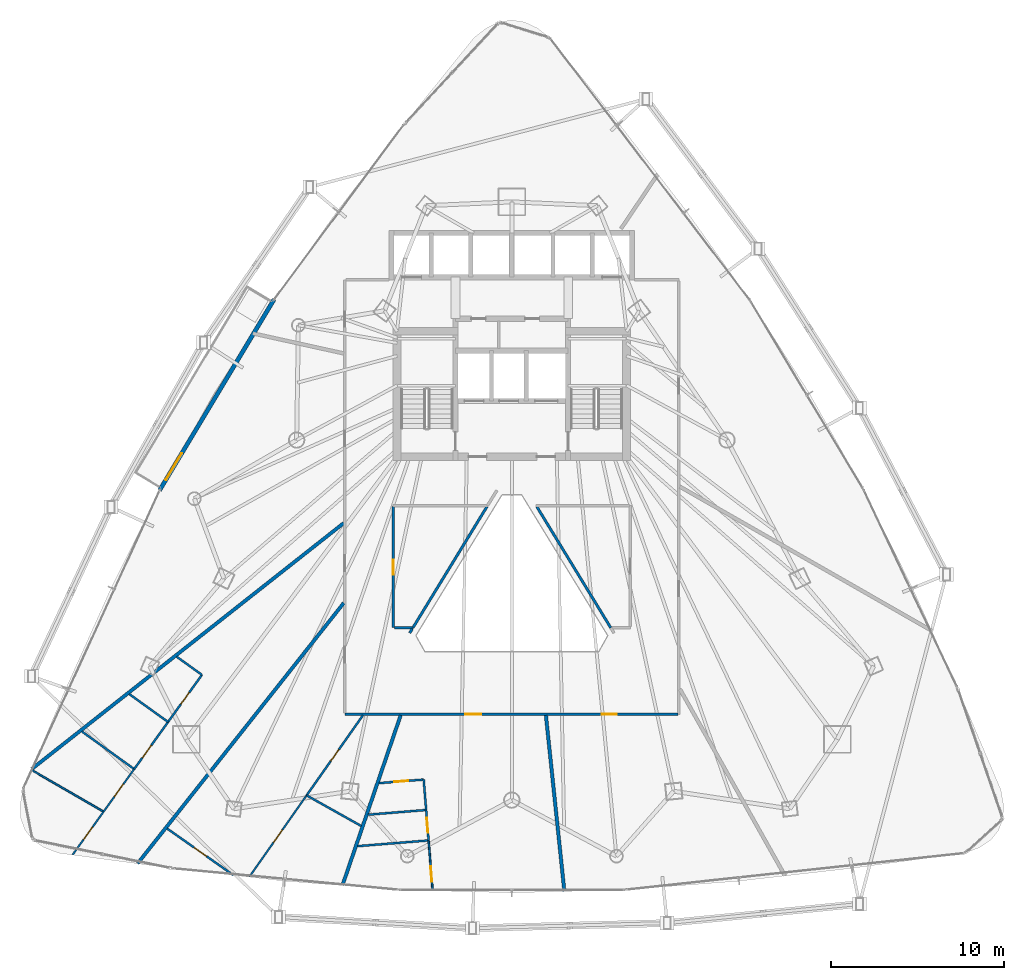
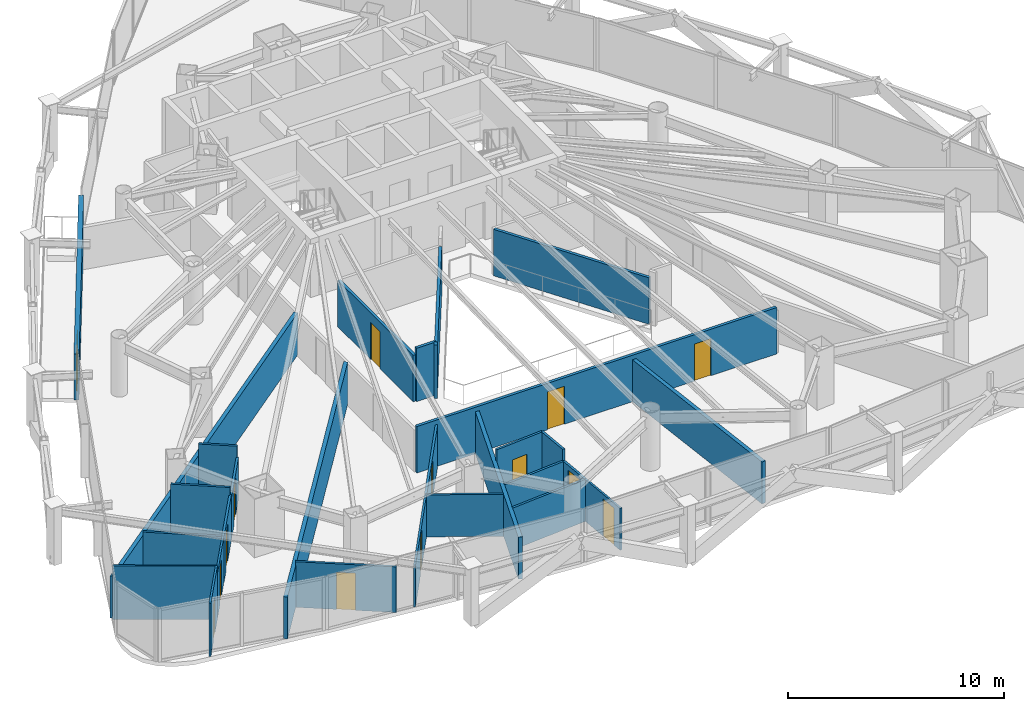
# One storey, part 32 of 38: 29 walls, 14 doors, 14 openings.
"""IFC4 building model written with IfcOpenShell, lengths in metres."""

from ifc_helpers import new_model, si_unit, direction, frame, frame_2d, origin, place, context, subcontext, project, spatial, rectangle, extrude, material, layer, layer_set, type_object, element, fill, save


model = new_model("IFC4")

# Units and contexts
model_context = context("Model", 3, precision=1e-05, world=origin(), true_north=direction((0.0, 1.0)))
body_context = subcontext(model_context, "Body", "Model", "MODEL_VIEW")
ifc_project = project(units=[si_unit("LENGTHUNIT", "METRE"), si_unit("AREAUNIT", "SQUARE_METRE"), si_unit("VOLUMEUNIT", "CUBIC_METRE"), si_unit("PLANEANGLEUNIT", "RADIAN"), si_unit("MASSUNIT", "GRAM", prefix="KILO")], contexts=[model_context])

# Site, building, storey
site_placement = place(None, origin())
site = spatial("IfcSite", under=ifc_project, at=site_placement, CompositionType="ELEMENT")
building_placement = place(site_placement, origin())
building = spatial("IfcBuilding", under=site, at=building_placement, Name="Orvanel Arch Residences", CompositionType="ELEMENT")
storey_placement = place(building_placement, frame((0.0, 0.0, 56.60009765625)))
storey = spatial("IfcBuildingStorey", under=building, at=storey_placement, Name="L15", CompositionType="ELEMENT", Elevation=56.60009765625)

# Wall, opening, door
ifc_material_1 = material(Name="Precast concrete N50 (50 MPa)", Category="concrete")
ifc_layer_1 = layer(ifc_material_1, 0.239990234375)
ifc_layer_set_1 = layer_set([ifc_layer_1], Name="Precast concrete N50 (50 MPa)")
wall_type_1 = type_object("IfcWallType", Name="EW-BAL-240", PredefinedType="SOLIDWALL", material=ifc_layer_set_1)
wall_1_placement = place(storey_placement, frame((19.264892578125, 35.764892578125, 0.0), z_axis=(0.0, 0.0, 1.0), x_axis=(-0.51430869017, -0.857605137121, 0.0)))
wall_1 = element("IfcWall", 1, at=wall_1_placement, inside=storey, type_object=wall_type_1, Name="L15 Balcony Threshold Wall Face 1", PredefinedType="SOLIDWALL", context=body_context, shape_type="SweptSolid", body=[
    extrude(rectangle(XDim=12.860107421875, YDim=0.239990234375, at=frame_2d((6.43017578125, 0.0))), origin(), (0.0, 0.0, 1.0), 2.583984375),
])
opening_1_placement = place(wall_1_placement, frame((10.362060546875, 0.0, 0.0)))
opening_1 = element("IfcOpeningElement", 2, at=opening_1_placement, cuts=wall_1, Name="Opening DB-180", PredefinedType="OPENING", context=body_context, shape_type="SweptSolid", body=[
    extrude(rectangle(XDim=1.800048828125, YDim=2.199951171875, at=frame_2d((0.89990234375, 1.10009765625))), frame((0.0, 0.1298828125, 0.0), z_axis=(0.0, -1.0, 0.0), x_axis=(1.0, 0.0, 0.0)), (0.0, 0.0, 1.0), 0.260009765625),
])
ifc_material_2 = material(Name="Bronze-anodised aluminium AA6063-T6", Category="aluminium")
door_type_1 = type_object("IfcDoorType", Name="DR-BAL-1800", OperationType="NOTDEFINED", PredefinedType="DOOR", material=ifc_material_2)
door_1_placement = place(opening_1_placement, origin())
door_1 = element("IfcDoor", 3, at=door_1_placement, inside=storey, type_object=door_type_1, Name="DR-L15-BAL-F1 L15 Planted Balcony Access Door Face 1", OperationType="SINGLE_SWING_LEFT", OverallHeight=2.199951171875, OverallWidth=1.800048828125, PredefinedType="DOOR", context=body_context, shape_type="SweptSolid", body=[
    extrude(rectangle(XDim=1.800048828125, YDim=2.199951171875, at=frame_2d((0.89990234375, 1.10009765625))), frame((0.0, 0.02490234375, 0.0), z_axis=(0.0, -1.0, 0.0), x_axis=(1.0, 0.0, 0.0)), (0.0, 0.0, 1.0), 0.050048828125),
])
fill(opening_1, door_1)

# Wall, openings, doors
ifc_material_3 = material(Name="Fire-rated plasterboard lined steel stud partition", Category="steel")
ifc_layer_2 = layer(ifc_material_3, 0.14990234375)
ifc_layer_set_2 = layer_set([ifc_layer_2], Name="Fire-rated plasterboard lined steel stud partition")
wall_type_2 = type_object("IfcWallType", Name="W-COR-150", PredefinedType="PARTITIONING", material=ifc_layer_set_2)
wall_2_placement = place(storey_placement, frame((42.590087890625, 11.800048828125, 0.0), z_axis=(0.0, 0.0, 1.0), x_axis=(-1.0, 0.0, 0.0)))
wall_2 = element("IfcWall", 4, at=wall_2_placement, inside=storey, type_object=wall_type_2, Name="L15 Corridor Fire-Rated Partition", PredefinedType="PARTITIONING", context=body_context, shape_type="SweptSolid", body=[
    extrude(rectangle(XDim=19.239990234375, YDim=0.14990234375, at=frame_2d((9.6201171875, 0.0))), origin(), (0.0, 0.0, 1.0), 2.62890625),
])
opening_2_placement = place(wall_2_placement, frame((11.35498046875, 0.0, 0.0)))
opening_2 = element("IfcOpeningElement", 5, at=opening_2_placement, cuts=wall_2, Name="Opening DA-092", PredefinedType="OPENING", context=body_context, shape_type="SweptSolid", body=[
    extrude(rectangle(XDim=0.919921875, YDim=2.14990234375, at=frame_2d((0.4599609375, 1.074951171875))), frame((0.0, 0.0849609375, 0.0), z_axis=(0.0, -1.0, 0.0), x_axis=(1.0, 0.0, 0.0)), (0.0, 0.0, 1.0), 0.169921875),
])
opening_3_placement = place(wall_2_placement, frame((3.52392578125, 0.0, 0.0)))
opening_3 = element("IfcOpeningElement", 6, at=opening_3_placement, cuts=wall_2, Name="Opening DI-088", PredefinedType="OPENING", context=body_context, shape_type="SweptSolid", body=[
    extrude(rectangle(XDim=0.8798828125, YDim=2.10009765625, at=frame_2d((0.43994140625, 1.050048828125))), frame((0.0, 0.0849609375, 0.0), z_axis=(0.0, -1.0, 0.0), x_axis=(1.0, 0.0, 0.0)), (0.0, 0.0, 1.0), 0.169921875),
])
ifc_material_4 = material(Name="Solid-core European oak veneer fire door leaf", Category="wood")
door_type_2 = type_object("IfcDoorType", Name="DR-APT-920", OperationType="NOTDEFINED", PredefinedType="DOOR", material=ifc_material_4)
door_2_placement = place(opening_2_placement, origin())
door_2 = element("IfcDoor", 7, at=door_2_placement, inside=storey, type_object=door_type_2, Name="DR-L15-G-ENT L15 Flat G Entrance Door", OperationType="SINGLE_SWING_RIGHT", OverallHeight=2.14990234375, OverallWidth=0.919921875, PredefinedType="DOOR", context=body_context, shape_type="SweptSolid", body=[
    extrude(rectangle(XDim=0.919921875, YDim=2.14990234375, at=frame_2d((0.4599609375, 1.074951171875))), frame((0.0, 0.02490234375, 0.0), z_axis=(0.0, -1.0, 0.0), x_axis=(1.0, 0.0, 0.0)), (0.0, 0.0, 1.0), 0.050048828125),
])
fill(opening_2, door_2)
door_type_3 = type_object("IfcDoorType", Name="DR-INT-880", OperationType="NOTDEFINED", PredefinedType="DOOR", material=ifc_material_4)
door_3_placement = place(opening_3_placement, origin())
door_3 = element("IfcDoor", 8, at=door_3_placement, inside=storey, type_object=door_type_3, Name="DR-L15-SHRD-FB8 L15 Co-Working Study Office H Door", OperationType="SINGLE_SWING_LEFT", OverallHeight=2.10009765625, OverallWidth=0.8798828125, PredefinedType="DOOR", context=body_context, shape_type="SweptSolid", body=[
    extrude(rectangle(XDim=0.8798828125, YDim=2.10009765625, at=frame_2d((0.43994140625, 1.050048828125))), frame((0.0, 0.02490234375, 0.0), z_axis=(0.0, -1.0, 0.0), x_axis=(1.0, 0.0, 0.0)), (0.0, 0.0, 1.0), 0.050048828125),
])
fill(opening_3, door_3)

# Wall, opening, door
wall_3_placement = place(storey_placement, frame((26.14990234375, 23.7900390625, 0.0), z_axis=(0.0, 0.0, 1.0), x_axis=(0.0, -1.0, 0.0)))
wall_3 = element("IfcWall", 9, at=wall_3_placement, inside=storey, type_object=wall_type_2, Name="L15 Corridor Fire-Rated Partition", PredefinedType="PARTITIONING", context=body_context, shape_type="SweptSolid", body=[
    extrude(rectangle(XDim=6.989990234375, YDim=0.14990234375, at=frame_2d((3.4951171875, 0.0))), origin(), (0.0, 0.0, 1.0), 2.62890625),
])
opening_4_placement = place(wall_3_placement, frame((3.054931640625, 0.0, 0.0)))
opening_4 = element("IfcOpeningElement", 10, at=opening_4_placement, cuts=wall_3, Name="Opening DI-088", PredefinedType="OPENING", context=body_context, shape_type="SweptSolid", body=[
    extrude(rectangle(XDim=0.8798828125, YDim=2.10009765625, at=frame_2d((0.43994140625, 1.050048828125))), frame((0.0, 0.0849609375, 0.0), z_axis=(0.0, -1.0, 0.0), x_axis=(1.0, 0.0, 0.0)), (0.0, 0.0, 1.0), 0.169921875),
])
door_4_placement = place(opening_4_placement, origin())
door_4 = element("IfcDoor", 11, at=door_4_placement, inside=storey, type_object=door_type_3, Name="DR-L15-SHRD-FB9 L15 Co-Working Study Office I Door", OperationType="SINGLE_SWING_LEFT", OverallHeight=2.10009765625, OverallWidth=0.8798828125, PredefinedType="DOOR", context=body_context, shape_type="SweptSolid", body=[
    extrude(rectangle(XDim=0.8798828125, YDim=2.10009765625, at=frame_2d((0.43994140625, 1.050048828125))), frame((0.0, 0.02490234375, 0.0), z_axis=(0.0, -1.0, 0.0), x_axis=(1.0, 0.0, 0.0)), (0.0, 0.0, 1.0), 0.050048828125),
])
fill(opening_4, door_4)

# Walls
wall_4_placement = place(storey_placement, frame((26.2099609375, 16.800048828125, 0.0), z_axis=(0.0, 0.0, 1.0), x_axis=(1.0, 0.0, 0.0)))
element("IfcWall", 12, at=wall_4_placement, inside=storey, type_object=wall_type_2, Name="L15 Corridor Fire-Rated Partition", PredefinedType="PARTITIONING", context=body_context, shape_type="SweptSolid", body=[
    extrude(rectangle(XDim=1.071044921875, YDim=0.14990234375, at=frame_2d((0.53564453125, 0.0))), origin(), (0.0, 0.0, 1.0), 3.02001953125),
])
wall_5_placement = place(storey_placement, frame((27.24609375, 16.739990234375, 0.0), z_axis=(0.0, 0.0, 1.0), x_axis=(-0.508992658084, -0.860770860344, 0.0)))
element("IfcWall", 13, at=wall_5_placement, inside=storey, type_object=wall_type_2, Name="L15 Corridor Fire-Rated Partition", PredefinedType="PARTITIONING", context=body_context, shape_type="SweptSolid", body=[
    extrude(rectangle(XDim=0.281005859375, YDim=0.14990234375, at=frame_2d((0.140625, 0.0))), origin(), (0.0, 0.0, 1.0), 3.02001953125),
])
wall_6_placement = place(storey_placement, frame((27.281005859375, 16.7900390625, 0.0), z_axis=(0.0, 0.0, 1.0), x_axis=(0.521563150989, 0.8532126813, 0.0)))
element("IfcWall", 14, at=wall_6_placement, inside=storey, type_object=wall_type_2, Name="L15 Atrium Overlook Glazed Partition", PredefinedType="PARTITIONING", context=body_context, shape_type="SweptSolid", body=[
    extrude(rectangle(XDim=8.204345703125, YDim=0.14990234375, at=frame_2d((4.10205078125, 0.0))), origin(), (0.0, 0.0, 1.0), 2.62890625),
])
wall_7_placement = place(storey_placement, frame((34.445068359375, 23.7900390625, 0.0), z_axis=(0.0, 0.0, 1.0), x_axis=(0.521145044988, -0.853468125992, 0.0)))
element("IfcWall", 15, at=wall_7_placement, inside=storey, type_object=wall_type_2, Name="L15 Atrium Overlook Glazed Partition", PredefinedType="PARTITIONING", context=body_context, shape_type="SweptSolid", body=[
    extrude(rectangle(XDim=8.193603515625, YDim=0.14990234375, at=frame_2d((4.0966796875, 0.0))), origin(), (0.0, 0.0, 1.0), 2.62890625),
])
ifc_layer_3 = layer(ifc_material_3, 0.199951171875)
ifc_layer_set_3 = layer_set([ifc_layer_3], Name="Fire-rated plasterboard lined steel stud partition")
wall_type_3 = type_object("IfcWallType", Name="W-DEM-200", PredefinedType="PARTITIONING", material=ifc_layer_set_3)
wall_8_placement = place(storey_placement, frame((23.2900390625, 22.843994140625, 0.0), z_axis=(0.0, 0.0, 1.0), x_axis=(-0.785302077685, -0.619112790034, 0.0)))
element("IfcWall", 16, at=wall_8_placement, inside=storey, type_object=wall_type_3, Name="L15 Inter-Tenancy Acoustic Demising Wall", PredefinedType="PARTITIONING", context=body_context, shape_type="SweptSolid", body=[
    extrude(rectangle(XDim=22.956787109375, YDim=0.199951171875, at=frame_2d((11.478515625, 0.0))), origin(), (0.0, 0.0, 1.0), 2.372802734375),
])
wall_9_placement = place(storey_placement, frame((23.2900390625, 18.22802734375, 0.0), z_axis=(0.0, 0.0, 1.0), x_axis=(-0.620501189922, -0.784205504511, 0.0)))
element("IfcWall", 17, at=wall_9_placement, inside=storey, type_object=wall_type_3, Name="L15 Inter-Tenancy Acoustic Demising Wall", PredefinedType="PARTITIONING", context=body_context, shape_type="SweptSolid", body=[
    extrude(rectangle(XDim=19.187744140625, YDim=0.199951171875, at=frame_2d((9.59375, 0.0))), origin(), (0.0, 0.0, 1.0), 2.372802734375),
])
wall_10_placement = place(storey_placement, frame((26.5791015625, 11.739990234375, 0.0), z_axis=(0.0, 0.0, 1.0), x_axis=(-0.32385337678, -0.946107282684, 0.0)))
element("IfcWall", 18, at=wall_10_placement, inside=storey, type_object=wall_type_3, Name="L15 Inter-Tenancy Acoustic Demising Wall", PredefinedType="PARTITIONING", context=body_context, shape_type="SweptSolid", body=[
    extrude(rectangle(XDim=10.37841796875, YDim=0.199951171875, at=frame_2d((5.189208984375, 0.0))), origin(), (0.0, 0.0, 1.0), 2.372802734375),
])
wall_11_placement = place(storey_placement, frame((34.968994140625, 11.739990234375, 0.0), z_axis=(0.0, 0.0, 1.0), x_axis=(0.10435134466, -0.994540495338, 0.0)))
element("IfcWall", 19, at=wall_11_placement, inside=storey, type_object=wall_type_3, Name="L15 Inter-Tenancy Acoustic Demising Wall", PredefinedType="PARTITIONING", context=body_context, shape_type="SweptSolid", body=[
    extrude(rectangle(XDim=10.214599609375, YDim=0.199951171875, at=frame_2d((5.107421875, 0.0))), origin(), (0.0, 0.0, 1.0), 2.372802734375),
])

# Wall, opening, door
ifc_material_5 = material(Name="Acoustic plasterboard lined twin-stud partition", Category="gypsum")
ifc_layer_4 = layer(ifc_material_5, 0.10009765625)
ifc_layer_set_4 = layer_set([ifc_layer_4], Name="Acoustic plasterboard lined twin-stud partition")
wall_type_4 = type_object("IfcWallType", Name="W-INT-100", PredefinedType="PARTITIONING", material=ifc_layer_set_4)
wall_12_placement = place(storey_placement, frame((7.62890625, 3.68505859375, 0.0), z_axis=(0.0, 0.0, 1.0), x_axis=(0.583746077317, 0.811936276574, 0.0)))
wall_12 = element("IfcWall", 20, at=wall_12_placement, inside=storey, type_object=wall_type_4, Name="L15 Flat E Internal Partition", PredefinedType="PARTITIONING", context=body_context, shape_type="SweptSolid", body=[
    extrude(rectangle(XDim=3.063232421875, YDim=0.10009765625, at=frame_2d((1.53173828125, 0.0))), origin(), (0.0, 0.0, 1.0), 3.02001953125),
])
opening_5_placement = place(wall_12_placement, frame((1.092041015625, 0.0, 0.0)))
opening_5 = element("IfcOpeningElement", 21, at=opening_5_placement, cuts=wall_12, Name="Opening DI-088", PredefinedType="OPENING", context=body_context, shape_type="SweptSolid", body=[
    extrude(rectangle(XDim=0.8798828125, YDim=2.10009765625, at=frame_2d((0.43994140625, 1.050048828125))), frame((0.0, 0.06005859375, 0.0), z_axis=(0.0, -1.0, 0.0), x_axis=(1.0, 0.0, 0.0)), (0.0, 0.0, 1.0), 0.1201171875),
])
door_5_placement = place(opening_5_placement, origin())
door_5 = element("IfcDoor", 22, at=door_5_placement, inside=storey, type_object=door_type_3, Name="DR-L15-E-BED1 L15 Flat E Bedroom 1 Door", OperationType="SINGLE_SWING_LEFT", OverallHeight=2.10009765625, OverallWidth=0.8798828125, PredefinedType="DOOR", context=body_context, shape_type="SweptSolid", body=[
    extrude(rectangle(XDim=0.8798828125, YDim=2.10009765625, at=frame_2d((0.43994140625, 1.050048828125))), frame((0.0, 0.02490234375, 0.0), z_axis=(0.0, -1.0, 0.0), x_axis=(1.0, 0.0, 0.0)), (0.0, 0.0, 1.0), 0.050048828125),
])
fill(opening_5, door_5)

wall_13_placement = place(storey_placement, frame((9.4169921875, 6.172119140625, 0.0), z_axis=(0.0, 0.0, 1.0), x_axis=(0.583596240012, 0.812043981964, 0.0)))
wall_13 = element("IfcWall", 23, at=wall_13_placement, inside=storey, type_object=wall_type_4, Name="L15 Flat E Internal Partition", PredefinedType="PARTITIONING", context=body_context, shape_type="SweptSolid", body=[
    extrude(rectangle(XDim=3.032958984375, YDim=0.10009765625, at=frame_2d((1.5166015625, 0.0))), origin(), (0.0, 0.0, 1.0), 2.578857421875),
])
opening_6_placement = place(wall_13_placement, frame((1.076904296875, 0.0, 0.0)))
opening_6 = element("IfcOpeningElement", 24, at=opening_6_placement, cuts=wall_13, Name="Opening DI-088", PredefinedType="OPENING", context=body_context, shape_type="SweptSolid", body=[
    extrude(rectangle(XDim=0.8798828125, YDim=2.10009765625, at=frame_2d((0.43994140625, 1.050048828125))), frame((0.0, 0.06005859375, 0.0), z_axis=(0.0, -1.0, 0.0), x_axis=(1.0, 0.0, 0.0)), (0.0, 0.0, 1.0), 0.1201171875),
])
door_6_placement = place(opening_6_placement, origin())
door_6 = element("IfcDoor", 25, at=door_6_placement, inside=storey, type_object=door_type_3, Name="DR-L15-E-STU2 L15 Flat E Private Study Room 1 Door", OperationType="SINGLE_SWING_LEFT", OverallHeight=2.10009765625, OverallWidth=0.8798828125, PredefinedType="DOOR", context=body_context, shape_type="SweptSolid", body=[
    extrude(rectangle(XDim=0.8798828125, YDim=2.10009765625, at=frame_2d((0.43994140625, 1.050048828125))), frame((0.0, 0.02490234375, 0.0), z_axis=(0.0, -1.0, 0.0), x_axis=(1.0, 0.0, 0.0)), (0.0, 0.0, 1.0), 0.050048828125),
])
fill(opening_6, door_6)

# Wall
wall_14_placement = place(storey_placement, frame((5.2529296875, 8.590087890625, 0.0), z_axis=(0.0, 0.0, 1.0), x_axis=(0.864777582771, -0.502155087932, 0.0)))
element("IfcWall", 26, at=wall_14_placement, inside=storey, type_object=wall_type_4, Name="L15 Flat E Internal Partition", PredefinedType="PARTITIONING", context=body_context, shape_type="SweptSolid", body=[
    extrude(rectangle(XDim=4.815185546875, YDim=0.10009765625, at=frame_2d((2.40771484375, 0.0))), origin(), (0.0, 0.0, 1.0), 3.02001953125),
])

# Wall, opening, door
wall_15_placement = place(storey_placement, frame((21.14599609375, 7.115966796875, 0.0), z_axis=(0.0, 0.0, 1.0), x_axis=(-0.575180299529, -0.818026664011, 0.0)))
wall_15 = element("IfcWall", 27, at=wall_15_placement, inside=storey, type_object=wall_type_4, Name="L15 Flat F Internal Partition", PredefinedType="PARTITIONING", context=body_context, shape_type="SweptSolid", body=[
    extrude(rectangle(XDim=5.756591796875, YDim=0.10009765625, at=frame_2d((2.87841796875, 0.0))), origin(), (0.0, 0.0, 1.0), 2.372802734375),
])
opening_7_placement = place(wall_15_placement, frame((2.43798828125, 0.0, 0.0)))
opening_7 = element("IfcOpeningElement", 28, at=opening_7_placement, cuts=wall_15, Name="Opening DI-088", PredefinedType="OPENING", context=body_context, shape_type="SweptSolid", body=[
    extrude(rectangle(XDim=0.8798828125, YDim=2.10009765625, at=frame_2d((0.43994140625, 1.050048828125))), frame((0.0, 0.06005859375, 0.0), z_axis=(0.0, -1.0, 0.0), x_axis=(1.0, 0.0, 0.0)), (0.0, 0.0, 1.0), 0.1201171875),
])
door_7_placement = place(opening_7_placement, origin())
door_7 = element("IfcDoor", 29, at=door_7_placement, inside=storey, type_object=door_type_3, Name="DR-L15-F-BED1 L15 Flat F Bedroom 1 Door", OperationType="SINGLE_SWING_LEFT", OverallHeight=2.10009765625, OverallWidth=0.8798828125, PredefinedType="DOOR", context=body_context, shape_type="SweptSolid", body=[
    extrude(rectangle(XDim=0.8798828125, YDim=2.10009765625, at=frame_2d((0.43994140625, 1.050048828125))), frame((0.0, 0.02490234375, 0.0), z_axis=(0.0, -1.0, 0.0), x_axis=(1.0, 0.0, 0.0)), (0.0, 0.0, 1.0), 0.050048828125),
])
fill(opening_7, door_7)

wall_16_placement = place(storey_placement, frame((28.425048828125, 1.6220703125, 0.0), z_axis=(0.0, 0.0, 1.0), x_axis=(-0.080390934681, 0.996763411057, 0.0)))
wall_16 = element("IfcWall", 30, at=wall_16_placement, inside=storey, type_object=wall_type_4, Name="L15 Flat G Internal Partition", PredefinedType="PARTITIONING", context=body_context, shape_type="SweptSolid", body=[
    extrude(rectangle(XDim=2.900146484375, YDim=0.10009765625, at=frame_2d((1.4501953125, 0.0))), origin(), (0.0, 0.0, 1.0), 2.372802734375),
])
opening_8_placement = place(wall_16_placement, frame((0.51708984375, 0.0, 0.0)))
opening_8 = element("IfcOpeningElement", 31, at=opening_8_placement, cuts=wall_16, Name="Opening DI-088", PredefinedType="OPENING", context=body_context, shape_type="SweptSolid", body=[
    extrude(rectangle(XDim=0.8798828125, YDim=2.10009765625, at=frame_2d((0.43994140625, 1.050048828125))), frame((0.0, 0.06005859375, 0.0), z_axis=(0.0, -1.0, 0.0), x_axis=(1.0, 0.0, 0.0)), (0.0, 0.0, 1.0), 0.1201171875),
])
door_8_placement = place(opening_8_placement, origin())
door_8 = element("IfcDoor", 32, at=door_8_placement, inside=storey, type_object=door_type_3, Name="DR-L15-G-BED1 L15 Flat G Bedroom 1 Door", OperationType="SINGLE_SWING_LEFT", OverallHeight=2.10009765625, OverallWidth=0.8798828125, PredefinedType="DOOR", context=body_context, shape_type="SweptSolid", body=[
    extrude(rectangle(XDim=0.8798828125, YDim=2.10009765625, at=frame_2d((0.43994140625, 1.050048828125))), frame((0.0, 0.02490234375, 0.0), z_axis=(0.0, -1.0, 0.0), x_axis=(1.0, 0.0, 0.0)), (0.0, 0.0, 1.0), 0.050048828125),
])
fill(opening_8, door_8)

ifc_layer_5 = layer(ifc_material_5, 0.1201171875)
ifc_layer_set_5 = layer_set([ifc_layer_5], Name="Acoustic plasterboard lined twin-stud partition")
wall_type_5 = type_object("IfcWallType", Name="W-WET-120", PredefinedType="PARTITIONING", material=ifc_layer_set_5)
wall_17_placement = place(storey_placement, frame((13.14306640625, 11.35693359375, 0.0), z_axis=(0.0, 0.0, 1.0), x_axis=(0.583709603858, 0.811962498127, 0.0)))
wall_17 = element("IfcWall", 33, at=wall_17_placement, inside=storey, type_object=wall_type_5, Name="L15 Flat E Bathroom Partition", PredefinedType="PARTITIONING", context=body_context, shape_type="SweptSolid", body=[
    extrude(rectangle(XDim=3.35107421875, YDim=0.1201171875, at=frame_2d((1.675537109375, 0.0))), origin(), (0.0, 0.0, 1.0), 2.372802734375),
])
opening_9_placement = place(wall_17_placement, frame((1.26611328125, 0.0, 0.0)))
opening_9 = element("IfcOpeningElement", 34, at=opening_9_placement, cuts=wall_17, Name="Opening DW-082", PredefinedType="OPENING", context=body_context, shape_type="SweptSolid", body=[
    extrude(rectangle(XDim=0.820068359375, YDim=2.10009765625, at=frame_2d((0.41015625, 1.050048828125))), frame((0.0, 0.070068359375, 0.0), z_axis=(0.0, -1.0, 0.0), x_axis=(1.0, 0.0, 0.0)), (0.0, 0.0, 1.0), 0.14013671875),
])
door_type_4 = type_object("IfcDoorType", Name="DR-WET-820", OperationType="NOTDEFINED", PredefinedType="DOOR", material=ifc_material_4)
door_9_placement = place(opening_9_placement, origin())
door_9 = element("IfcDoor", 35, at=door_9_placement, inside=storey, type_object=door_type_4, Name="DR-L15-E-BATH L15 Flat E Bathroom Door", OperationType="SINGLE_SWING_RIGHT", OverallHeight=2.10009765625, OverallWidth=0.820068359375, PredefinedType="DOOR", context=body_context, shape_type="SweptSolid", body=[
    extrude(rectangle(XDim=0.820068359375, YDim=2.10009765625, at=frame_2d((0.41015625, 1.050048828125))), frame((0.0, 0.02490234375, 0.0), z_axis=(0.0, -1.0, 0.0), x_axis=(1.0, 0.0, 0.0)), (0.0, 0.0, 1.0), 0.050048828125),
])
fill(opening_9, door_9)

# Wall
wall_18_placement = place(storey_placement, frame((15.09912109375, 14.077880859375, 0.0), z_axis=(0.0, 0.0, 1.0), x_axis=(-0.812134003072, 0.583470959906, 0.0)))
element("IfcWall", 36, at=wall_18_placement, inside=storey, type_object=wall_type_5, Name="L15 Flat E Bathroom Partition", PredefinedType="PARTITIONING", context=body_context, shape_type="SweptSolid", body=[
    extrude(rectangle(XDim=1.798095703125, YDim=0.1201171875, at=frame_2d((0.89892578125, 0.0))), origin(), (0.0, 0.0, 1.0), 3.02001953125),
])

# Wall, opening, door
wall_19_placement = place(storey_placement, frame((11.18701171875, 8.635009765625, 0.0), z_axis=(0.0, 0.0, 1.0), x_axis=(0.583571510595, 0.812061753823, 0.0)))
wall_19 = element("IfcWall", 37, at=wall_19_placement, inside=storey, type_object=wall_type_5, Name="L15 Flat E Internal Partition", PredefinedType="PARTITIONING", context=body_context, shape_type="SweptSolid", body=[
    extrude(rectangle(XDim=3.351806640625, YDim=0.1201171875, at=frame_2d((1.67578125, 0.0))), origin(), (0.0, 0.0, 1.0), 2.578857421875),
])
opening_10_placement = place(wall_19_placement, frame((0.802001953125, 0.0, 0.0)))
opening_10 = element("IfcOpeningElement", 38, at=opening_10_placement, cuts=wall_19, Name="Opening DI-088", PredefinedType="OPENING", context=body_context, shape_type="SweptSolid", body=[
    extrude(rectangle(XDim=0.8798828125, YDim=2.10009765625, at=frame_2d((0.43994140625, 1.050048828125))), frame((0.0, 0.070068359375, 0.0), z_axis=(0.0, -1.0, 0.0), x_axis=(1.0, 0.0, 0.0)), (0.0, 0.0, 1.0), 0.14013671875),
])
door_10_placement = place(opening_10_placement, origin())
door_10 = element("IfcDoor", 39, at=door_10_placement, inside=storey, type_object=door_type_3, Name="DR-L15-E-KIT L15 Flat E Kitchen Door", OperationType="SINGLE_SWING_LEFT", OverallHeight=2.10009765625, OverallWidth=0.8798828125, PredefinedType="DOOR", context=body_context, shape_type="SweptSolid", body=[
    extrude(rectangle(XDim=0.8798828125, YDim=2.10009765625, at=frame_2d((0.43994140625, 1.050048828125))), frame((0.0, 0.02490234375, 0.0), z_axis=(0.0, -1.0, 0.0), x_axis=(1.0, 0.0, 0.0)), (0.0, 0.0, 1.0), 0.050048828125),
])
fill(opening_10, door_10)

# Walls
wall_20_placement = place(storey_placement, frame((13.14306640625, 11.35693359375, 0.0), z_axis=(0.0, 0.0, 1.0), x_axis=(-0.812099176387, 0.583519432162, 0.0)))
element("IfcWall", 40, at=wall_20_placement, inside=storey, type_object=wall_type_5, Name="L15 Flat E Bathroom Partition", PredefinedType="PARTITIONING", context=body_context, shape_type="SweptSolid", body=[
    extrude(rectangle(XDim=2.760986328125, YDim=0.1201171875, at=frame_2d((1.38037109375, 0.0))), origin(), (0.0, 0.0, 1.0), 3.02001953125),
])
wall_21_placement = place(storey_placement, frame((11.18701171875, 8.635009765625, 0.0), z_axis=(0.0, 0.0, 1.0), x_axis=(-0.812025077548, 0.583622543629, 0.0)))
element("IfcWall", 41, at=wall_21_placement, inside=storey, type_object=wall_type_5, Name="L15 Flat E Internal Partition", PredefinedType="PARTITIONING", context=body_context, shape_type="SweptSolid", body=[
    extrude(rectangle(XDim=3.72509765625, YDim=0.1201171875, at=frame_2d((1.862548828125, 0.0))), origin(), (0.0, 0.0, 1.0), 2.578857421875),
])

# Wall, opening, door
wall_22_placement = place(storey_placement, frame((24.39794921875, 11.739990234375, 0.0), z_axis=(0.0, 0.0, 1.0), x_axis=(-0.575258030062, -0.817972003707, 0.0)))
wall_22 = element("IfcWall", 42, at=wall_22_placement, inside=storey, type_object=wall_type_5, Name="L15 Flat F Bathroom Partition", PredefinedType="PARTITIONING", context=body_context, shape_type="SweptSolid", body=[
    extrude(rectangle(XDim=5.653076171875, YDim=0.1201171875, at=frame_2d((2.82666015625, 0.0))), origin(), (0.0, 0.0, 1.0), 2.372802734375),
])
opening_11_placement = place(wall_22_placement, frame((2.4169921875, 0.0, 0.0)))
opening_11 = element("IfcOpeningElement", 43, at=opening_11_placement, cuts=wall_22, Name="Opening DW-082", PredefinedType="OPENING", context=body_context, shape_type="SweptSolid", body=[
    extrude(rectangle(XDim=0.820068359375, YDim=2.10009765625, at=frame_2d((0.41015625, 1.050048828125))), frame((0.0, 0.070068359375, 0.0), z_axis=(0.0, -1.0, 0.0), x_axis=(1.0, 0.0, 0.0)), (0.0, 0.0, 1.0), 0.14013671875),
])
door_11_placement = place(opening_11_placement, origin())
door_11 = element("IfcDoor", 44, at=door_11_placement, inside=storey, type_object=door_type_4, Name="DR-L15-F-BATH L15 Flat F Bathroom Door", OperationType="SINGLE_SWING_RIGHT", OverallHeight=2.10009765625, OverallWidth=0.820068359375, PredefinedType="DOOR", context=body_context, shape_type="SweptSolid", body=[
    extrude(rectangle(XDim=0.820068359375, YDim=2.10009765625, at=frame_2d((0.41015625, 1.050048828125))), frame((0.0, 0.02490234375, 0.0), z_axis=(0.0, -1.0, 0.0), x_axis=(1.0, 0.0, 0.0)), (0.0, 0.0, 1.0), 0.050048828125),
])
fill(opening_11, door_11)

wall_23_placement = place(storey_placement, frame((16.9208984375, 2.5048828125, 0.0), z_axis=(0.0, 0.0, 1.0), x_axis=(-0.818042569522, 0.575157677902, 0.0)))
wall_23 = element("IfcWall", 45, at=wall_23_placement, inside=storey, type_object=wall_type_5, Name="L15 Flat F Internal Partition", PredefinedType="PARTITIONING", context=body_context, shape_type="SweptSolid", body=[
    extrude(rectangle(XDim=4.68408203125, YDim=0.1201171875, at=frame_2d((2.342041015625, 0.0))), origin(), (0.0, 0.0, 1.0), 2.578857421875),
])
opening_12_placement = place(wall_23_placement, frame((1.902099609375, 0.0, 0.0)))
opening_12 = element("IfcOpeningElement", 46, at=opening_12_placement, cuts=wall_23, Name="Opening DI-088", PredefinedType="OPENING", context=body_context, shape_type="SweptSolid", body=[
    extrude(rectangle(XDim=0.8798828125, YDim=2.10009765625, at=frame_2d((0.43994140625, 1.050048828125))), frame((0.0, 0.070068359375, 0.0), z_axis=(0.0, -1.0, 0.0), x_axis=(1.0, 0.0, 0.0)), (0.0, 0.0, 1.0), 0.14013671875),
])
door_12_placement = place(opening_12_placement, origin())
door_12 = element("IfcDoor", 47, at=door_12_placement, inside=storey, type_object=door_type_3, Name="DR-L15-F-KIT L15 Flat F Kitchen Door", OperationType="SINGLE_SWING_LEFT", OverallHeight=2.10009765625, OverallWidth=0.8798828125, PredefinedType="DOOR", context=body_context, shape_type="SweptSolid", body=[
    extrude(rectangle(XDim=0.8798828125, YDim=2.10009765625, at=frame_2d((0.43994140625, 1.050048828125))), frame((0.0, 0.02490234375, 0.0), z_axis=(0.0, -1.0, 0.0), x_axis=(1.0, 0.0, 0.0)), (0.0, 0.0, 1.0), 0.050048828125),
])
fill(opening_12, door_12)

# Walls
wall_24_placement = place(storey_placement, frame((24.301025390625, 5.346923828125, 0.0), z_axis=(0.0, 0.0, 1.0), x_axis=(-0.872243471816, 0.48907190256, 0.0)))
element("IfcWall", 48, at=wall_24_placement, inside=storey, type_object=wall_type_5, Name="L15 Flat F Bathroom Partition", PredefinedType="PARTITIONING", context=body_context, shape_type="SweptSolid", body=[
    extrude(rectangle(XDim=3.6171875, YDim=0.1201171875, at=frame_2d((1.80859375, 0.0))), origin(), (0.0, 0.0, 1.0), 2.372802734375),
])
wall_25_placement = place(storey_placement, frame((28.050048828125, 6.27197265625, 0.0), z_axis=(0.0, 0.0, 1.0), x_axis=(-0.080009304194, 0.996794116778, 0.0)))
element("IfcWall", 49, at=wall_25_placement, inside=storey, type_object=wall_type_5, Name="L15 Flat G Bathroom Partition", PredefinedType="PARTITIONING", context=body_context, shape_type="SweptSolid", body=[
    extrude(rectangle(XDim=1.763671875, YDim=0.1201171875, at=frame_2d((0.8818359375, 0.0))), origin(), (0.0, 0.0, 1.0), 3.02001953125),
])

# Wall, opening, door
wall_26_placement = place(storey_placement, frame((27.908935546875, 8.030029296875, 0.0), z_axis=(0.0, 0.0, 1.0), x_axis=(-0.996768339954, -0.080329798112, 0.0)))
wall_26 = element("IfcWall", 50, at=wall_26_placement, inside=storey, type_object=wall_type_5, Name="L15 Flat G Bathroom Partition", PredefinedType="PARTITIONING", context=body_context, shape_type="SweptSolid", body=[
    extrude(rectangle(XDim=2.58935546875, YDim=0.1201171875, at=frame_2d((1.294677734375, 0.0))), origin(), (0.0, 0.0, 1.0), 3.02001953125),
])
opening_13_placement = place(wall_26_placement, frame((0.885009765625, 0.0, 0.0)))
opening_13 = element("IfcOpeningElement", 51, at=opening_13_placement, cuts=wall_26, Name="Opening DW-082", PredefinedType="OPENING", context=body_context, shape_type="SweptSolid", body=[
    extrude(rectangle(XDim=0.820068359375, YDim=2.10009765625, at=frame_2d((0.41015625, 1.050048828125))), frame((0.0, 0.070068359375, 0.0), z_axis=(0.0, -1.0, 0.0), x_axis=(1.0, 0.0, 0.0)), (0.0, 0.0, 1.0), 0.14013671875),
])
door_13_placement = place(opening_13_placement, origin())
door_13 = element("IfcDoor", 52, at=door_13_placement, inside=storey, type_object=door_type_4, Name="DR-L15-G-BATH L15 Flat G Bathroom Door", OperationType="SINGLE_SWING_RIGHT", OverallHeight=2.10009765625, OverallWidth=0.820068359375, PredefinedType="DOOR", context=body_context, shape_type="SweptSolid", body=[
    extrude(rectangle(XDim=0.820068359375, YDim=2.10009765625, at=frame_2d((0.41015625, 1.050048828125))), frame((0.0, 0.02490234375, 0.0), z_axis=(0.0, -1.0, 0.0), x_axis=(1.0, 0.0, 0.0)), (0.0, 0.0, 1.0), 0.050048828125),
])
fill(opening_13, door_13)

wall_27_placement = place(storey_placement, frame((28.19189453125, 4.512939453125, 0.0), z_axis=(0.0, 0.0, 1.0), x_axis=(-0.080377539135, 0.996764491343, 0.0)))
wall_27 = element("IfcWall", 53, at=wall_27_placement, inside=storey, type_object=wall_type_5, Name="L15 Flat G Internal Partition", PredefinedType="PARTITIONING", context=body_context, shape_type="SweptSolid", body=[
    extrude(rectangle(XDim=1.7646484375, YDim=0.1201171875, at=frame_2d((0.88232421875, 0.0))), origin(), (0.0, 0.0, 1.0), 2.372802734375),
])
opening_14_placement = place(wall_27_placement, frame((0.44189453125, 0.0, 0.0)))
opening_14 = element("IfcOpeningElement", 54, at=opening_14_placement, cuts=wall_27, Name="Opening DI-088", PredefinedType="OPENING", context=body_context, shape_type="SweptSolid", body=[
    extrude(rectangle(XDim=0.8798828125, YDim=2.10009765625, at=frame_2d((0.43994140625, 1.050048828125))), frame((0.0, 0.070068359375, 0.0), z_axis=(0.0, -1.0, 0.0), x_axis=(1.0, 0.0, 0.0)), (0.0, 0.0, 1.0), 0.14013671875),
])
door_14_placement = place(opening_14_placement, origin())
door_14 = element("IfcDoor", 55, at=door_14_placement, inside=storey, type_object=door_type_3, Name="DR-L15-G-KIT L15 Flat G Kitchen Door", OperationType="SINGLE_SWING_LEFT", OverallHeight=2.10009765625, OverallWidth=0.8798828125, PredefinedType="DOOR", context=body_context, shape_type="SweptSolid", body=[
    extrude(rectangle(XDim=0.8798828125, YDim=2.10009765625, at=frame_2d((0.43994140625, 1.050048828125))), frame((0.0, 0.02490234375, 0.0), z_axis=(0.0, -1.0, 0.0), x_axis=(1.0, 0.0, 0.0)), (0.0, 0.0, 1.0), 0.050048828125),
])
fill(opening_14, door_14)

# Walls
wall_28_placement = place(storey_placement, frame((28.050048828125, 6.27197265625, 0.0), z_axis=(0.0, 0.0, 1.0), x_axis=(-0.99675765278, -0.080462299392, 0.0)))
element("IfcWall", 56, at=wall_28_placement, inside=storey, type_object=wall_type_5, Name="L15 Flat G Bathroom Partition", PredefinedType="PARTITIONING", context=body_context, shape_type="SweptSolid", body=[
    extrude(rectangle(XDim=3.35595703125, YDim=0.1201171875, at=frame_2d((1.677978515625, 0.0))), origin(), (0.0, 0.0, 1.0), 2.372802734375),
])
wall_29_placement = place(storey_placement, frame((28.19189453125, 4.512939453125, 0.0), z_axis=(0.0, 0.0, 1.0), x_axis=(-0.996771449714, -0.080291201486, 0.0)))
element("IfcWall", 57, at=wall_29_placement, inside=storey, type_object=wall_type_5, Name="L15 Flat G Internal Partition", PredefinedType="PARTITIONING", context=body_context, shape_type="SweptSolid", body=[
    extrude(rectangle(XDim=4.123291015625, YDim=0.1201171875, at=frame_2d((2.0615234375, 0.0))), origin(), (0.0, 0.0, 1.0), 2.372802734375),
])

save(model, "model.ifc")
